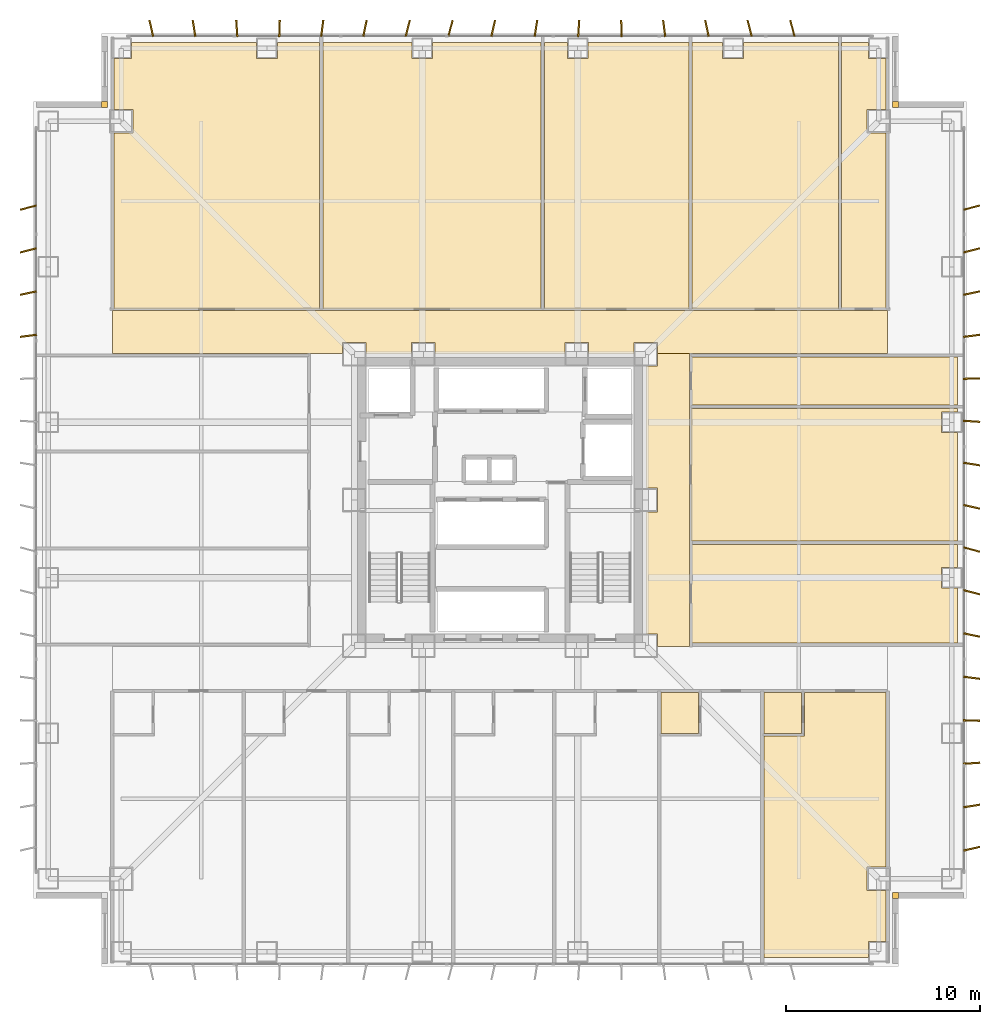
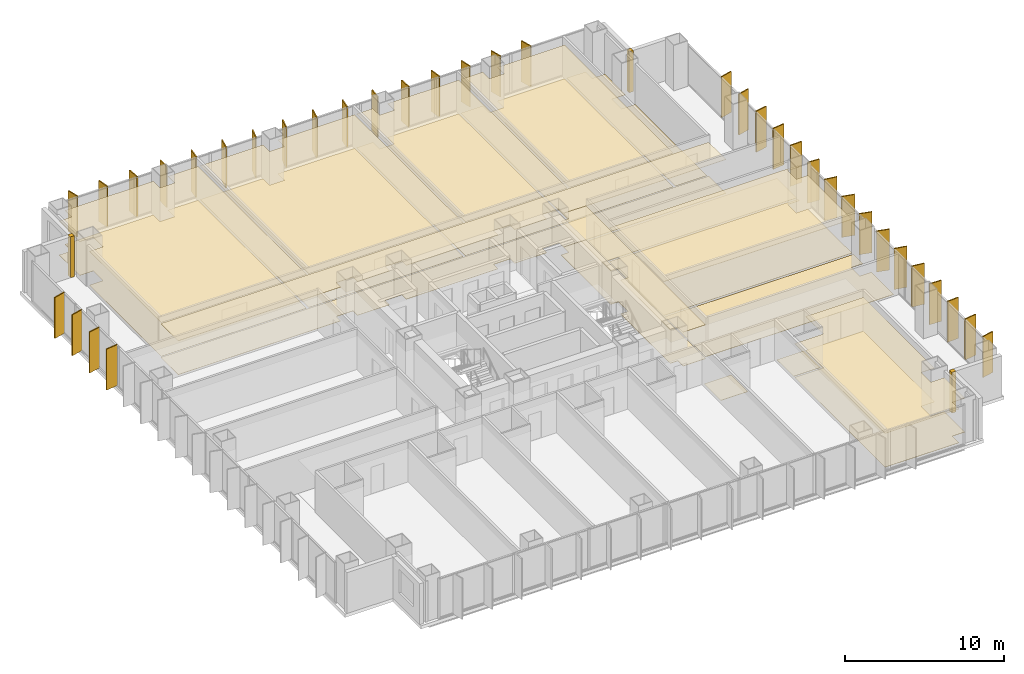
# One storey, part 19 of 19: 36 shading devices, 24 coverings.
"""IFC4 building model written with IfcOpenShell, lengths in metres."""

from ifc_helpers import new_model, si_unit, direction, frame, origin, origin_2d, place, context, subcontext, project, spatial, polyline, rectangle, outline, extrude, material, layer, layer_set, type_object, element, save


model = new_model("IFC4")

# Units and contexts
model_context = context("Model", 3, precision=1e-05, world=origin(), true_north=direction((0.0, 1.0)))
body_context = subcontext(model_context, "Body", "Model", "MODEL_VIEW")
ifc_project = project(units=[si_unit("LENGTHUNIT", "METRE"), si_unit("AREAUNIT", "SQUARE_METRE"), si_unit("VOLUMEUNIT", "CUBIC_METRE"), si_unit("PLANEANGLEUNIT", "RADIAN"), si_unit("MASSUNIT", "GRAM", prefix="KILO")], contexts=[model_context])

# Site, building, storey
site_placement = place(None, origin())
site = spatial("IfcSite", under=ifc_project, at=site_placement, CompositionType="ELEMENT")
building_placement = place(site_placement, origin())
building = spatial("IfcBuilding", under=site, at=building_placement, Name="Trevonay Congress Spire", CompositionType="ELEMENT")
storey_placement = place(building_placement, frame((0.0, 0.0, 79.5)))
storey = spatial("IfcBuildingStorey", under=building, at=storey_placement, Name="L20", CompositionType="ELEMENT", Elevation=79.5)

# Coverings
ifc_material_1 = material(Name="Acoustic Mineral Fibre Board", Category="gypsum")
ifc_layer_1 = layer(ifc_material_1, 0.02490234375, Name="Acoustic Mineral Fibre Board")
ifc_layer_set_1 = layer_set([ifc_layer_1], Name="Acoustic Mineral Fibre Board")
covering_type_1 = type_object("IfcCoveringType", Name="COV-CEIL-ACOUSTIC", PredefinedType="CEILING", material=ifc_layer_set_1)
covering_1_placement = place(storey_placement, frame((0.0, 0.0, 2.60009765625)))
element("IfcCovering", 1, at=covering_1_placement, inside=storey, type_object=covering_type_1, Name="L20 Hotel Floor Corridor North acoustic suspended ceiling", PredefinedType="CEILING", context=body_context, shape_type="SweptSolid", body=[
    extrude(outline(polyline([(-19.949951171875, 7.550048828125), (-19.949951171875, 9.75), (19.949951171875, 9.75), (19.949951171875, 7.550048828125), (8.110107421875, 7.550048828125), (8.110107421875, 8.110107421875), (6.889892578125, 8.110107421875), (6.889892578125, 7.550048828125), (4.56005859375, 7.550048828125), (4.56005859375, 8.110107421875), (3.340087890625, 8.110107421875), (3.340087890625, 7.550048828125), (-3.340087890625, 7.550048828125), (-3.340087890625, 8.110107421875), (-4.56005859375, 8.110107421875), (-4.56005859375, 7.550048828125), (-6.889892578125, 7.550048828125), (-6.889892578125, 8.110107421875), (-8.110107421875, 8.110107421875), (-8.110107421875, 7.550048828125), (-19.949951171875, 7.550048828125)])), origin(), (0.0, 0.0, 1.0), 0.02490234375),
])
covering_2_placement = place(storey_placement, frame((0.0, 0.0, 2.60009765625)))
element("IfcCovering", 2, at=covering_2_placement, inside=storey, type_object=covering_type_1, Name="L20 Hotel Floor Corridor East acoustic suspended ceiling", PredefinedType="CEILING", context=body_context, shape_type="SweptSolid", body=[
    extrude(outline(polyline([(9.75, -7.550048828125), (8.110107421875, -7.550048828125), (8.110107421875, -6.889892578125), (7.550048828125, -6.889892578125), (7.550048828125, -0.610107421875), (8.110107421875, -0.610107421875), (8.110107421875, 0.610107421875), (7.550048828125, 0.610107421875), (7.550048828125, 6.889892578125), (8.110107421875, 6.889892578125), (8.110107421875, 7.550048828125), (9.75, 7.550048828125), (9.75, -7.550048828125)])), origin(), (0.0, 0.0, 1.0), 0.02490234375),
])
covering_3_placement = place(storey_placement, frame((0.0, 0.0, 2.60009765625)))
element("IfcCovering", 3, at=covering_3_placement, inside=storey, type_object=covering_type_1, Name="L20 Corner Hotel Suite acoustic suspended ceiling", PredefinedType="CEILING", context=body_context, shape_type="SweptSolid", body=[
    extrude(outline(polyline([(13.580078125, -23.550048828125), (13.580078125, -12.139892578125), (15.669921875, -12.139892578125), (15.669921875, -9.909912109375), (19.8701171875, -9.909912109375), (19.8701171875, -18.889892578125), (18.889892578125, -18.889892578125), (18.889892578125, -20.110107421875), (19.8701171875, -20.110107421875), (19.8701171875, -22.715087890625), (18.965087890625, -22.715087890625), (18.965087890625, -23.550048828125), (13.580078125, -23.550048828125)])), origin(), (0.0, 0.0, 1.0), 0.02490234375),
])
covering_4_placement = place(storey_placement, frame((0.0, 0.0, 2.60009765625)))
element("IfcCovering", 4, at=covering_4_placement, inside=storey, type_object=covering_type_1, Name="L20 Presidential Sky Lounge acoustic suspended ceiling", PredefinedType="CEILING", context=body_context, shape_type="SweptSolid", body=[
    extrude(outline(polyline([(-9.280029296875, 23.550048828125), (-9.280029296875, 9.830078125), (-19.8701171875, 9.830078125), (-19.8701171875, 18.889892578125), (-18.889892578125, 18.889892578125), (-18.889892578125, 20.110107421875), (-19.8701171875, 20.110107421875), (-19.8701171875, 22.715087890625), (-18.965087890625, 22.715087890625), (-18.965087890625, 23.550048828125), (-12.534912109375, 23.550048828125), (-12.534912109375, 22.715087890625), (-11.465087890625, 22.715087890625), (-11.465087890625, 23.550048828125), (-9.280029296875, 23.550048828125)])), origin(), (0.0, 0.0, 1.0), 0.02490234375),
])
covering_5_placement = place(storey_placement, frame((0.0, 0.0, 2.60009765625)))
element("IfcCovering", 5, at=covering_5_placement, inside=storey, type_object=covering_type_1, Name="L20 Diplomatic Reception Salon acoustic suspended ceiling", PredefinedType="CEILING", context=body_context, shape_type="SweptSolid", body=[
    extrude(outline(polyline([(2.1201171875, 23.550048828125), (2.1201171875, 9.830078125), (-9.1201171875, 9.830078125), (-9.1201171875, 23.550048828125), (-4.534912109375, 23.550048828125), (-4.534912109375, 22.715087890625), (-3.465087890625, 22.715087890625), (-3.465087890625, 23.550048828125), (2.1201171875, 23.550048828125)])), origin(), (0.0, 0.0, 1.0), 0.02490234375),
])
covering_6_placement = place(storey_placement, frame((0.0, 0.0, 2.60009765625)))
element("IfcCovering", 6, at=covering_6_placement, inside=storey, type_object=covering_type_1, Name="L20 Protocol Secretariat Office acoustic suspended ceiling", PredefinedType="CEILING", context=body_context, shape_type="SweptSolid", body=[
    extrude(outline(polyline([(9.719970703125, 23.550048828125), (9.719970703125, 9.830078125), (2.280029296875, 9.830078125), (2.280029296875, 23.550048828125), (3.465087890625, 23.550048828125), (3.465087890625, 22.715087890625), (4.534912109375, 22.715087890625), (4.534912109375, 23.550048828125), (9.719970703125, 23.550048828125)])), origin(), (0.0, 0.0, 1.0), 0.02490234375),
])
covering_7_placement = place(storey_placement, frame((0.0, 0.0, 2.60009765625)))
element("IfcCovering", 7, at=covering_7_placement, inside=storey, type_object=covering_type_1, Name="L20 Butler Catering Kitchen acoustic suspended ceiling", PredefinedType="CEILING", context=body_context, shape_type="SweptSolid", body=[
    extrude(outline(polyline([(17.419921875, 23.550048828125), (17.419921875, 9.830078125), (9.8798828125, 9.830078125), (9.8798828125, 23.550048828125), (11.465087890625, 23.550048828125), (11.465087890625, 22.715087890625), (12.534912109375, 22.715087890625), (12.534912109375, 23.550048828125), (17.419921875, 23.550048828125)])), origin(), (0.0, 0.0, 1.0), 0.02490234375),
])
covering_8_placement = place(storey_placement, frame((0.0, 0.0, 2.60009765625)))
element("IfcCovering", 8, at=covering_8_placement, inside=storey, type_object=covering_type_1, Name="L20 Penthouse Wine Pantry acoustic suspended ceiling", PredefinedType="CEILING", context=body_context, shape_type="SweptSolid", body=[
    extrude(outline(polyline([(23.550048828125, -2.1201171875), (9.830078125, -2.1201171875), (9.830078125, 4.719970703125), (23.550048828125, 4.719970703125), (23.550048828125, 4.534912109375), (22.715087890625, 4.534912109375), (22.715087890625, 3.465087890625), (23.550048828125, 3.465087890625), (23.550048828125, -2.1201171875)])), origin(), (0.0, 0.0, 1.0), 0.02490234375),
])
ifc_material_2 = material(Name="Polished Granite Floor Tile", Category="masonry")
ifc_layer_2 = layer(ifc_material_2, 0.02001953125, Name="Polished Granite Floor Tile")
ifc_layer_set_2 = layer_set([ifc_layer_2], Name="Polished Granite Floor Tile")
covering_type_2 = type_object("IfcCoveringType", Name="COV-FLOOR-STONE", PredefinedType="FLOORING", material=ifc_layer_set_2)
covering_9_placement = place(storey_placement, origin())
element("IfcCovering", 9, at=covering_9_placement, inside=storey, type_object=covering_type_2, Name="L20 Hotel Floor Corridor North floor finish", PredefinedType="FLOORING", context=body_context, shape_type="SweptSolid", body=[
    extrude(outline(polyline([(-19.949951171875, 7.550048828125), (-19.949951171875, 9.75), (19.949951171875, 9.75), (19.949951171875, 7.550048828125), (8.110107421875, 7.550048828125), (8.110107421875, 8.110107421875), (6.889892578125, 8.110107421875), (6.889892578125, 7.550048828125), (4.56005859375, 7.550048828125), (4.56005859375, 8.110107421875), (3.340087890625, 8.110107421875), (3.340087890625, 7.550048828125), (-3.340087890625, 7.550048828125), (-3.340087890625, 8.110107421875), (-4.56005859375, 8.110107421875), (-4.56005859375, 7.550048828125), (-6.889892578125, 7.550048828125), (-6.889892578125, 8.110107421875), (-8.110107421875, 8.110107421875), (-8.110107421875, 7.550048828125), (-19.949951171875, 7.550048828125)])), origin(), (0.0, 0.0, 1.0), 0.02001953125),
])
covering_10_placement = place(storey_placement, origin())
element("IfcCovering", 10, at=covering_10_placement, inside=storey, type_object=covering_type_2, Name="L20 Hotel Floor Corridor East floor finish", PredefinedType="FLOORING", context=body_context, shape_type="SweptSolid", body=[
    extrude(outline(polyline([(9.75, -7.550048828125), (8.110107421875, -7.550048828125), (8.110107421875, -6.889892578125), (7.550048828125, -6.889892578125), (7.550048828125, -0.610107421875), (8.110107421875, -0.610107421875), (8.110107421875, 0.610107421875), (7.550048828125, 0.610107421875), (7.550048828125, 6.889892578125), (8.110107421875, 6.889892578125), (8.110107421875, 7.550048828125), (9.75, 7.550048828125), (9.75, -7.550048828125)])), origin(), (0.0, 0.0, 1.0), 0.02001953125),
])
covering_11_placement = place(storey_placement, origin())
element("IfcCovering", 11, at=covering_11_placement, inside=storey, type_object=covering_type_2, Name="L20 En-suite Bathroom floor finish", PredefinedType="FLOORING", context=body_context, shape_type="SweptSolid", body=[
    extrude(outline(polyline([(8.280029296875, -12.02001953125), (10.22998046875, -12.02001953125), (10.22998046875, -9.909912109375), (8.280029296875, -9.909912109375), (8.280029296875, -12.02001953125)])), origin(), (0.0, 0.0, 1.0), 0.02001953125),
])
covering_12_placement = place(storey_placement, origin())
element("IfcCovering", 12, at=covering_12_placement, inside=storey, type_object=covering_type_2, Name="L20 En-suite Bathroom floor finish", PredefinedType="FLOORING", context=body_context, shape_type="SweptSolid", body=[
    extrude(outline(polyline([(13.580078125, -12.02001953125), (15.530029296875, -12.02001953125), (15.530029296875, -9.909912109375), (13.580078125, -9.909912109375), (13.580078125, -12.02001953125)])), origin(), (0.0, 0.0, 1.0), 0.02001953125),
])
covering_13_placement = place(storey_placement, origin())
element("IfcCovering", 13, at=covering_13_placement, inside=storey, type_object=covering_type_2, Name="L20 Butler Catering Kitchen floor finish", PredefinedType="FLOORING", context=body_context, shape_type="SweptSolid", body=[
    extrude(outline(polyline([(17.419921875, 23.550048828125), (17.419921875, 9.830078125), (9.8798828125, 9.830078125), (9.8798828125, 23.550048828125), (11.465087890625, 23.550048828125), (11.465087890625, 22.715087890625), (12.534912109375, 22.715087890625), (12.534912109375, 23.550048828125), (17.419921875, 23.550048828125)])), origin(), (0.0, 0.0, 1.0), 0.02001953125),
])
covering_14_placement = place(storey_placement, origin())
element("IfcCovering", 14, at=covering_14_placement, inside=storey, type_object=covering_type_2, Name="L20 Accessible WC floor finish", PredefinedType="FLOORING", context=body_context, shape_type="SweptSolid", body=[
    extrude(outline(polyline([(19.8701171875, 9.830078125), (17.580078125, 9.830078125), (17.580078125, 23.550048828125), (18.965087890625, 23.550048828125), (18.965087890625, 22.715087890625), (19.8701171875, 22.715087890625), (19.8701171875, 20.110107421875), (18.889892578125, 20.110107421875), (18.889892578125, 18.889892578125), (19.8701171875, 18.889892578125), (19.8701171875, 9.830078125)])), origin(), (0.0, 0.0, 1.0), 0.02001953125),
])
covering_15_placement = place(storey_placement, origin())
element("IfcCovering", 15, at=covering_15_placement, inside=storey, type_object=covering_type_2, Name="L20 Housekeeping and Linen Room floor finish", PredefinedType="FLOORING", context=body_context, shape_type="SweptSolid", body=[
    extrude(outline(polyline([(23.550048828125, -7.3701171875), (9.830078125, -7.3701171875), (9.830078125, -2.280029296875), (23.550048828125, -2.280029296875), (23.550048828125, -3.465087890625), (22.715087890625, -3.465087890625), (22.715087890625, -4.534912109375), (23.550048828125, -4.534912109375), (23.550048828125, -7.3701171875)])), origin(), (0.0, 0.0, 1.0), 0.02001953125),
])
covering_16_placement = place(storey_placement, origin())
element("IfcCovering", 16, at=covering_16_placement, inside=storey, type_object=covering_type_2, Name="L20 Penthouse Wine Pantry floor finish", PredefinedType="FLOORING", context=body_context, shape_type="SweptSolid", body=[
    extrude(outline(polyline([(23.550048828125, -2.1201171875), (9.830078125, -2.1201171875), (9.830078125, 4.719970703125), (23.550048828125, 4.719970703125), (23.550048828125, 4.534912109375), (22.715087890625, 4.534912109375), (22.715087890625, 3.465087890625), (23.550048828125, 3.465087890625), (23.550048828125, -2.1201171875)])), origin(), (0.0, 0.0, 1.0), 0.02001953125),
])
covering_17_placement = place(storey_placement, origin())
element("IfcCovering", 17, at=covering_17_placement, inside=storey, type_object=covering_type_2, Name="L20 Staff Restroom WC floor finish", PredefinedType="FLOORING", context=body_context, shape_type="SweptSolid", body=[
    extrude(outline(polyline([(9.830078125, 4.8798828125), (23.550048828125, 4.8798828125), (23.550048828125, 7.3701171875), (9.830078125, 7.3701171875), (9.830078125, 4.8798828125)])), origin(), (0.0, 0.0, 1.0), 0.02001953125),
])
ifc_material_3 = material(Name="Engineered Oak Flooring", Category="wood")
ifc_layer_3 = layer(ifc_material_3, 0.01806640625, Name="Engineered Oak Flooring")
ifc_layer_set_3 = layer_set([ifc_layer_3], Name="Engineered Oak Flooring")
covering_type_3 = type_object("IfcCoveringType", Name="COV-FLOOR-TIMBER", PredefinedType="FLOORING", material=ifc_layer_set_3)
covering_18_placement = place(storey_placement, origin())
element("IfcCovering", 18, at=covering_18_placement, inside=storey, type_object=covering_type_3, Name="L20 Corner Hotel Suite floor finish", PredefinedType="FLOORING", context=body_context, shape_type="SweptSolid", body=[
    extrude(outline(polyline([(13.580078125, -23.550048828125), (13.580078125, -12.139892578125), (15.669921875, -12.139892578125), (15.669921875, -9.909912109375), (19.8701171875, -9.909912109375), (19.8701171875, -18.889892578125), (18.889892578125, -18.889892578125), (18.889892578125, -20.110107421875), (19.8701171875, -20.110107421875), (19.8701171875, -22.715087890625), (18.965087890625, -22.715087890625), (18.965087890625, -23.550048828125), (13.580078125, -23.550048828125)])), origin(), (0.0, 0.0, 1.0), 0.01806640625),
])
covering_19_placement = place(storey_placement, origin())
element("IfcCovering", 19, at=covering_19_placement, inside=storey, type_object=covering_type_3, Name="L20 Presidential Sky Lounge floor finish", PredefinedType="FLOORING", context=body_context, shape_type="SweptSolid", body=[
    extrude(outline(polyline([(-9.280029296875, 23.550048828125), (-9.280029296875, 9.830078125), (-19.8701171875, 9.830078125), (-19.8701171875, 18.889892578125), (-18.889892578125, 18.889892578125), (-18.889892578125, 20.110107421875), (-19.8701171875, 20.110107421875), (-19.8701171875, 22.715087890625), (-18.965087890625, 22.715087890625), (-18.965087890625, 23.550048828125), (-12.534912109375, 23.550048828125), (-12.534912109375, 22.715087890625), (-11.465087890625, 22.715087890625), (-11.465087890625, 23.550048828125), (-9.280029296875, 23.550048828125)])), origin(), (0.0, 0.0, 1.0), 0.01806640625),
])
covering_20_placement = place(storey_placement, origin())
element("IfcCovering", 20, at=covering_20_placement, inside=storey, type_object=covering_type_3, Name="L20 Diplomatic Reception Salon floor finish", PredefinedType="FLOORING", context=body_context, shape_type="SweptSolid", body=[
    extrude(outline(polyline([(2.1201171875, 23.550048828125), (2.1201171875, 9.830078125), (-9.1201171875, 9.830078125), (-9.1201171875, 23.550048828125), (-4.534912109375, 23.550048828125), (-4.534912109375, 22.715087890625), (-3.465087890625, 22.715087890625), (-3.465087890625, 23.550048828125), (2.1201171875, 23.550048828125)])), origin(), (0.0, 0.0, 1.0), 0.01806640625),
])
covering_21_placement = place(storey_placement, origin())
element("IfcCovering", 21, at=covering_21_placement, inside=storey, type_object=covering_type_3, Name="L20 Protocol Secretariat Office floor finish", PredefinedType="FLOORING", context=body_context, shape_type="SweptSolid", body=[
    extrude(outline(polyline([(9.719970703125, 23.550048828125), (9.719970703125, 9.830078125), (2.280029296875, 9.830078125), (2.280029296875, 23.550048828125), (3.465087890625, 23.550048828125), (3.465087890625, 22.715087890625), (4.534912109375, 22.715087890625), (4.534912109375, 23.550048828125), (9.719970703125, 23.550048828125)])), origin(), (0.0, 0.0, 1.0), 0.01806640625),
])
ifc_material_4 = material(Name="Pale Anodised Aluminium EN AW-6063-T6", Category="aluminium")
ifc_layer_4 = layer(ifc_material_4, 0.0400390625, Name="Pale Anodised Aluminium EN AW-6063-T6")
ifc_layer_set_4 = layer_set([ifc_layer_4], Name="Pale Anodised Aluminium EN AW-6063-T6")
covering_type_4 = type_object("IfcCoveringType", Name="COV-SPANDREL-PALE-METAL", PredefinedType="CLADDING", material=ifc_layer_set_4)
covering_22_placement = place(storey_placement, origin())
element("IfcCovering", 22, at=covering_22_placement, inside=storey, type_object=covering_type_4, Name="L20 SE re-entrant notch corner closure trim", PredefinedType="CLADDING", context=body_context, shape_type="SweptSolid", body=[
    extrude(outline(polyline([(20.199951171875, -20.5), (20.5, -20.5), (20.5, -20.199951171875), (20.199951171875, -20.199951171875), (20.199951171875, -20.5)])), origin(), (0.0, 0.0, 1.0), 3.14990234375),
])
covering_23_placement = place(storey_placement, origin())
element("IfcCovering", 23, at=covering_23_placement, inside=storey, type_object=covering_type_4, Name="L20 NE re-entrant notch corner closure trim", PredefinedType="CLADDING", context=body_context, shape_type="SweptSolid", body=[
    extrude(outline(polyline([(20.199951171875, 20.199951171875), (20.5, 20.199951171875), (20.5, 20.5), (20.199951171875, 20.5), (20.199951171875, 20.199951171875)])), origin(), (0.0, 0.0, 1.0), 3.14990234375),
])
covering_24_placement = place(storey_placement, origin())
element("IfcCovering", 24, at=covering_24_placement, inside=storey, type_object=covering_type_4, Name="L20 NW re-entrant notch corner closure trim", PredefinedType="CLADDING", context=body_context, shape_type="SweptSolid", body=[
    extrude(outline(polyline([(-20.5, 20.199951171875), (-20.199951171875, 20.199951171875), (-20.199951171875, 20.5), (-20.5, 20.5), (-20.5, 20.199951171875)])), origin(), (0.0, 0.0, 1.0), 3.14990234375),
])

# Shading devices
shading_device_type = type_object("IfcShadingDeviceType", Name="SHD-FIN-Z1-PALE-METAL", PredefinedType="USERDEFINED", material=ifc_material_4)
for number, where, z_axis, x_axis, name in (
    (25, (-17.949951171875, 24.280029296875, 0.0), (0.0, 0.0, 1.0), (0.97440931131, 0.224780991261, 0.0), "L20 N vertical pale-metal solar fin 1"),
    (26, (-15.75, 24.280029296875, 0.0), (0.0, 0.0, 1.0), (0.987330860032, 0.158675054211, 0.0), "L20 N vertical pale-metal solar fin 2"),
    (27, (-13.550048828125, 24.280029296875, 0.0), (0.0, 0.0, 1.0), (0.997707959868, 0.067667029017, 0.0), "L20 N vertical pale-metal solar fin 3"),
    (28, (-11.35009765625, 24.280029296875, 0.0), (0.0, 0.0, 1.0), (0.999414947917, -0.034201781837, 0.0), "L20 N vertical pale-metal solar fin 4"),
    (29, (-9.14990234375, 24.280029296875, 0.0), (0.0, 0.0, 1.0), (0.991444861374, -0.13052619222, 0.0), "L20 N vertical pale-metal solar fin 5"),
    (30, (-6.949951171875, 24.280029296875, 0.0), (0.0, 0.0, 1.0), (0.978508985102, -0.206204185397, 0.0), "L20 N vertical pale-metal solar fin 6"),
    (31, (-4.75, 24.280029296875, 0.0), (0.0, 0.0, 1.0), (0.968191325187, -0.250211026602, 0.0), "L20 N vertical pale-metal solar fin 7"),
    (32, (-2.550048828125, 24.280029296875, 0.0), (0.0, 0.0, 1.0), (0.966510581262, -0.256626764599, 0.0), "L20 N vertical pale-metal solar fin 8"),
    (33, (-0.35009765625, 24.280029296875, 0.0), (0.0, 0.0, 1.0), (0.97440931131, -0.224780991261, 0.0), "L20 N vertical pale-metal solar fin 9"),
    (34, (1.85009765625, 24.280029296875, 0.0), (0.0, 0.0, 1.0), (0.987330860032, -0.158675054211, 0.0), "L20 N vertical pale-metal solar fin 10"),
    (35, (4.050048828125, 24.280029296875, 0.0), (0.0, 0.0, 1.0), (0.997707959868, -0.067667029017, 0.0), "L20 N vertical pale-metal solar fin 11"),
    (36, (6.25, 24.280029296875, 0.0), (0.0, 0.0, 1.0), (0.999414947917, 0.034201781837, 0.0), "L20 N vertical pale-metal solar fin 12"),
    (37, (8.449951171875, 24.280029296875, 0.0), (0.0, 0.0, 1.0), (0.991444861374, 0.13052619222, 0.0), "L20 N vertical pale-metal solar fin 13"),
    (38, (10.64990234375, 24.280029296875, 0.0), (0.0, 0.0, 1.0), (0.978508985102, 0.206204185397, 0.0), "L20 N vertical pale-metal solar fin 14"),
    (39, (12.85009765625, 24.280029296875, 0.0), (0.0, 0.0, 1.0), (0.968191325187, 0.250211026602, 0.0), "L20 N vertical pale-metal solar fin 15"),
    (40, (15.050048828125, 24.280029296875, 0.0), (0.0, 0.0, 1.0), (0.966510581262, 0.256626764599, 0.0), "L20 N vertical pale-metal solar fin 16"),
    (41, (-24.280029296875, 8.449951171875, 0.0), (0.0, 0.0, 1.0), (-0.13052619222, 0.991444861374, 0.0), "L20 W vertical pale-metal solar fin 13"),
    (42, (-24.280029296875, 10.64990234375, 0.0), (0.0, 0.0, 1.0), (-0.206204185397, 0.978508985102, 0.0), "L20 W vertical pale-metal solar fin 14"),
    (43, (-24.280029296875, 12.85009765625, 0.0), (0.0, 0.0, 1.0), (-0.250211026602, 0.968191325187, 0.0), "L20 W vertical pale-metal solar fin 15"),
    (44, (-24.280029296875, 15.050048828125, 0.0), (0.0, 0.0, 1.0), (-0.256626764599, 0.966510581262, 0.0), "L20 W vertical pale-metal solar fin 16"),
    (45, (24.280029296875, -17.949951171875, 0.0), (0.0, 0.0, 1.0), (-0.224780991261, 0.97440931131, 0.0), "L20 E vertical pale-metal solar fin 1"),
    (46, (24.280029296875, -15.75, 0.0), (0.0, 0.0, 1.0), (-0.158675054211, 0.987330860032, 0.0), "L20 E vertical pale-metal solar fin 2"),
    (47, (24.280029296875, -13.550048828125, 0.0), (0.0, 0.0, 1.0), (-0.067667029017, 0.997707959868, 0.0), "L20 E vertical pale-metal solar fin 3"),
    (48, (24.280029296875, -11.35009765625, 0.0), (0.0, 0.0, 1.0), (0.034201781837, 0.999414947917, 0.0), "L20 E vertical pale-metal solar fin 4"),
    (49, (24.280029296875, -9.14990234375, 0.0), (0.0, 0.0, 1.0), (0.13052619222, 0.991444861374, 0.0), "L20 E vertical pale-metal solar fin 5"),
    (50, (24.280029296875, -6.949951171875, 0.0), (0.0, 0.0, 1.0), (0.206204185397, 0.978508985102, 0.0), "L20 E vertical pale-metal solar fin 6"),
    (51, (24.280029296875, -4.75, 0.0), (0.0, 0.0, 1.0), (0.250211026602, 0.968191325187, 0.0), "L20 E vertical pale-metal solar fin 7"),
    (52, (24.280029296875, -2.550048828125, 0.0), (0.0, 0.0, 1.0), (0.256626764599, 0.966510581262, 0.0), "L20 E vertical pale-metal solar fin 8"),
    (53, (24.280029296875, -0.35009765625, 0.0), (0.0, 0.0, 1.0), (0.224780991261, 0.97440931131, 0.0), "L20 E vertical pale-metal solar fin 9"),
    (54, (24.280029296875, 1.85009765625, 0.0), (0.0, 0.0, 1.0), (0.158675054211, 0.987330860032, 0.0), "L20 E vertical pale-metal solar fin 10"),
    (55, (24.280029296875, 4.050048828125, 0.0), (0.0, 0.0, 1.0), (0.067667029017, 0.997707959868, 0.0), "L20 E vertical pale-metal solar fin 11"),
    (56, (24.280029296875, 6.25, 0.0), (0.0, 0.0, 1.0), (-0.034201781837, 0.999414947917, 0.0), "L20 E vertical pale-metal solar fin 12"),
    (57, (24.280029296875, 8.449951171875, 0.0), (0.0, 0.0, 1.0), (-0.13052619222, 0.991444861374, 0.0), "L20 E vertical pale-metal solar fin 13"),
    (58, (24.280029296875, 10.64990234375, 0.0), (0.0, 0.0, 1.0), (-0.206204185397, 0.978508985102, 0.0), "L20 E vertical pale-metal solar fin 14"),
    (59, (24.280029296875, 12.85009765625, 0.0), (0.0, 0.0, 1.0), (-0.250211026602, 0.968191325187, 0.0), "L20 E vertical pale-metal solar fin 15"),
    (60, (24.280029296875, 15.050048828125, 0.0), (0.0, 0.0, 1.0), (-0.256626764599, 0.966510581262, 0.0), "L20 E vertical pale-metal solar fin 16"),
):
    element("IfcShadingDevice", number, at=place(storey_placement, frame(where, z_axis=z_axis, x_axis=x_axis)), inside=storey, type_object=shading_device_type, Name=name, ObjectType="SOLAR FIN", PredefinedType="USERDEFINED", context=body_context, shape_type="SweptSolid", body=[
        extrude(rectangle(XDim=0.080078125, YDim=0.85009765625, at=origin_2d()), origin(), (0.0, 0.0, 1.0), 3.14990234375),
    ])

save(model, "model.ifc")
